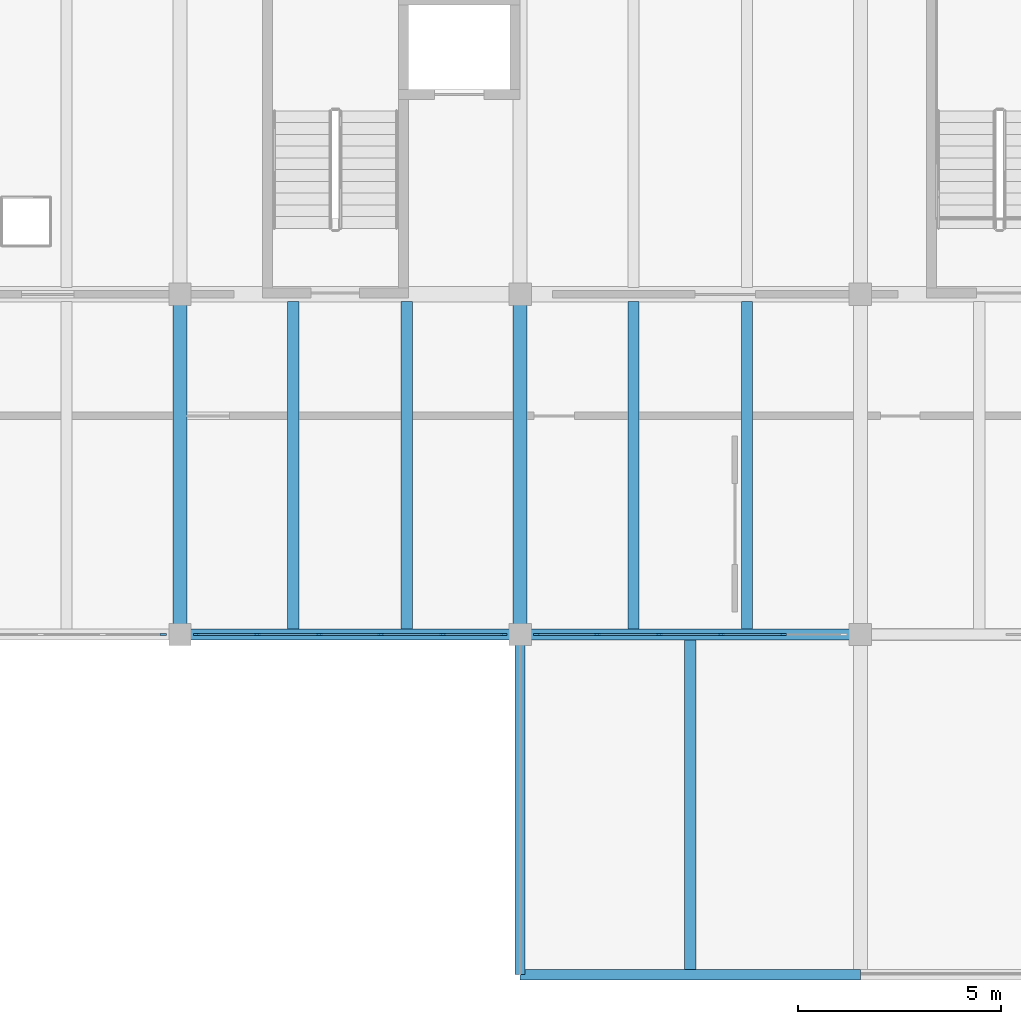
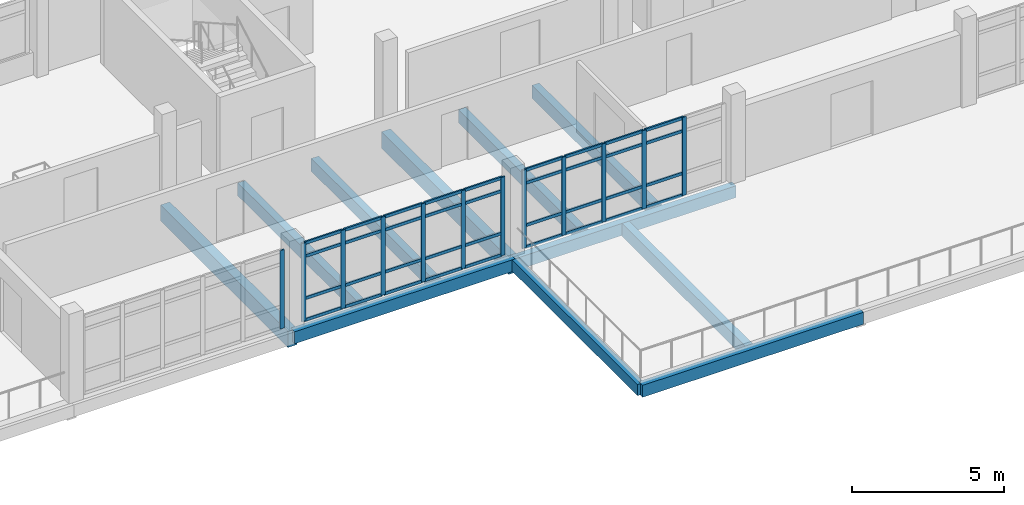
# One storey, part 4 of 30: 48 members, 11 beams, 3 elements without a shape of their own.
"""IFC4 building model written with IfcOpenShell, lengths in metres."""

from ifc_helpers import new_model, si_unit, direction, frame, origin, origin_2d, place, context, subcontext, project, spatial, rectangle, extrude, material, material_profile, profile_set, type_object, element, aggregate, save


model = new_model("IFC4")

# Units and contexts
model_context = context("Model", 3, precision=1e-05, world=origin(), true_north=direction((0.0, 1.0)))
body_context = subcontext(model_context, "Body", "Model", "MODEL_VIEW")
ifc_project = project(units=[si_unit("LENGTHUNIT", "METRE"), si_unit("AREAUNIT", "SQUARE_METRE"), si_unit("VOLUMEUNIT", "CUBIC_METRE"), si_unit("PLANEANGLEUNIT", "RADIAN"), si_unit("MASSUNIT", "GRAM", prefix="KILO")], contexts=[model_context])

# Site, building, storey
site_placement = place(None, origin())
site = spatial("IfcSite", under=ifc_project, at=site_placement, CompositionType="ELEMENT")
building_placement = place(site_placement, origin())
building = spatial("IfcBuilding", under=site, at=building_placement, Name="Cinderway Yard Community Centre", CompositionType="ELEMENT")
storey_placement = place(building_placement, frame((0.0, 0.0, 16.5)))
storey = spatial("IfcBuildingStorey", under=building, at=storey_placement, Name="L04", CompositionType="ELEMENT", Elevation=16.5)

# Curtain wall, member
ifc_material_1 = material(Name="Aluminium 6063-T6", Category="aluminium")
curtain_wall_type = type_object("IfcCurtainWallType", Name="ENV-CW-TYPE-32", PredefinedType="USERDEFINED", material=ifc_material_1)
curtain_wall_1_placement = place(storey_placement, origin())
curtain_wall_1 = element("IfcCurtainWall", 1, at=curtain_wall_1_placement, inside=storey, type_object=curtain_wall_type, Name="V4 Courtyard Curtain Wall ENV-CW-L04-ST-0177", ObjectType="GLAZED CURTAIN WALL", PredefinedType="USERDEFINED")
ifc_material_profile_1 = material_profile(ifc_material_1, rectangle(XDim=0.06005859375, YDim=0.159912109375, at=origin_2d()), Name="Aluminium 6063-T6")
ifc_profile_set_1 = profile_set([ifc_material_profile_1], Name="Aluminium 6063-T6")
member_type_1 = type_object("IfcMemberType", Name="ENV-CW-MULL-150", PredefinedType="MULLION", material=ifc_profile_set_1)
member_1_placement = place(storey_placement, frame((57.989990234375, 98.39990234375, 0.0), z_axis=(0.0, 0.0, 1.0), x_axis=(0.0, 1.0, 0.0)))
member_1 = element("IfcMember", 2, at=member_1_placement, type_object=member_type_1, Name="CW-32 mullion 6", PredefinedType="MULLION", context=body_context, shape_type="SweptSolid", body=[
    extrude(rectangle(XDim=0.06005859375, YDim=0.159912109375, at=origin_2d()), origin(), (0.0, 0.0, 1.0), 3.14990234375),
])
aggregate(curtain_wall_1, [member_1])

# Curtain wall, members
curtain_wall_2_placement = place(storey_placement, origin())
curtain_wall_2 = element("IfcCurtainWall", 3, at=curtain_wall_2_placement, inside=storey, type_object=curtain_wall_type, Name="V4 Courtyard Curtain Wall ENV-CW-L04-ST-0178", ObjectType="GLAZED CURTAIN WALL", PredefinedType="USERDEFINED")
member_2_placement = place(storey_placement, frame((58.81005859375, 98.39990234375, 0.0), z_axis=(0.0, 0.0, 1.0), x_axis=(0.0, 1.0, 0.0)))
member_2 = element("IfcMember", 4, at=member_2_placement, type_object=member_type_1, Name="CW-32 mullion 1", PredefinedType="MULLION", context=body_context, shape_type="SweptSolid", body=[
    extrude(rectangle(XDim=0.06005859375, YDim=0.159912109375, at=origin_2d()), origin(), (0.0, 0.0, 1.0), 3.14990234375),
])
member_3_placement = place(storey_placement, frame((60.30810546875, 98.39990234375, 0.0), z_axis=(0.0, 0.0, 1.0), x_axis=(0.0, 1.0, 0.0)))
member_3 = element("IfcMember", 5, at=member_3_placement, type_object=member_type_1, Name="CW-32 mullion 2", PredefinedType="MULLION", context=body_context, shape_type="SweptSolid", body=[
    extrude(rectangle(XDim=0.06005859375, YDim=0.159912109375, at=origin_2d()), origin(), (0.0, 0.0, 1.0), 3.14990234375),
])
member_4_placement = place(storey_placement, frame((61.8359375, 98.39990234375, 0.0), z_axis=(0.0, 0.0, 1.0), x_axis=(0.0, 1.0, 0.0)))
member_4 = element("IfcMember", 6, at=member_4_placement, type_object=member_type_1, Name="CW-32 mullion 3", PredefinedType="MULLION", context=body_context, shape_type="SweptSolid", body=[
    extrude(rectangle(XDim=0.06005859375, YDim=0.159912109375, at=origin_2d()), origin(), (0.0, 0.0, 1.0), 3.14990234375),
])
member_5_placement = place(storey_placement, frame((63.364013671875, 98.39990234375, 0.0), z_axis=(0.0, 0.0, 1.0), x_axis=(0.0, 1.0, 0.0)))
member_5 = element("IfcMember", 7, at=member_5_placement, type_object=member_type_1, Name="CW-32 mullion 4", PredefinedType="MULLION", context=body_context, shape_type="SweptSolid", body=[
    extrude(rectangle(XDim=0.06005859375, YDim=0.159912109375, at=origin_2d()), origin(), (0.0, 0.0, 1.0), 3.14990234375),
])
member_6_placement = place(storey_placement, frame((64.89208984375, 98.39990234375, 0.0), z_axis=(0.0, 0.0, 1.0), x_axis=(0.0, 1.0, 0.0)))
member_6 = element("IfcMember", 8, at=member_6_placement, type_object=member_type_1, Name="CW-32 mullion 5", PredefinedType="MULLION", context=body_context, shape_type="SweptSolid", body=[
    extrude(rectangle(XDim=0.06005859375, YDim=0.159912109375, at=origin_2d()), origin(), (0.0, 0.0, 1.0), 3.14990234375),
])
member_7_placement = place(storey_placement, frame((66.389892578125, 98.39990234375, 0.0), z_axis=(0.0, 0.0, 1.0), x_axis=(0.0, 1.0, 0.0)))
member_7 = element("IfcMember", 9, at=member_7_placement, type_object=member_type_1, Name="CW-32 mullion 6", PredefinedType="MULLION", context=body_context, shape_type="SweptSolid", body=[
    extrude(rectangle(XDim=0.06005859375, YDim=0.159912109375, at=origin_2d()), origin(), (0.0, 0.0, 1.0), 3.14990234375),
])

curtain_wall_3_placement = place(storey_placement, origin())
curtain_wall_3 = element("IfcCurtainWall", 10, at=curtain_wall_3_placement, inside=storey, type_object=curtain_wall_type, Name="V4 Courtyard Curtain Wall ENV-CW-L04-ST-0180", ObjectType="GLAZED CURTAIN WALL", PredefinedType="USERDEFINED")
member_8_placement = place(storey_placement, frame((67.2099609375, 98.39990234375, 0.0), z_axis=(0.0, 0.0, 1.0), x_axis=(0.0, 1.0, 0.0)))
member_8 = element("IfcMember", 11, at=member_8_placement, type_object=member_type_1, Name="CW-32 mullion 1", PredefinedType="MULLION", context=body_context, shape_type="SweptSolid", body=[
    extrude(rectangle(XDim=0.06005859375, YDim=0.159912109375, at=origin_2d()), origin(), (0.0, 0.0, 1.0), 3.14990234375),
])
member_9_placement = place(storey_placement, frame((68.7080078125, 98.39990234375, 0.0), z_axis=(0.0, 0.0, 1.0), x_axis=(0.0, 1.0, 0.0)))
member_9 = element("IfcMember", 12, at=member_9_placement, type_object=member_type_1, Name="CW-32 mullion 2", PredefinedType="MULLION", context=body_context, shape_type="SweptSolid", body=[
    extrude(rectangle(XDim=0.06005859375, YDim=0.159912109375, at=origin_2d()), origin(), (0.0, 0.0, 1.0), 3.14990234375),
])
member_10_placement = place(storey_placement, frame((70.236083984375, 98.39990234375, 0.0), z_axis=(0.0, 0.0, 1.0), x_axis=(0.0, 1.0, 0.0)))
member_10 = element("IfcMember", 13, at=member_10_placement, type_object=member_type_1, Name="CW-32 mullion 3", PredefinedType="MULLION", context=body_context, shape_type="SweptSolid", body=[
    extrude(rectangle(XDim=0.06005859375, YDim=0.159912109375, at=origin_2d()), origin(), (0.0, 0.0, 1.0), 3.14990234375),
])
member_11_placement = place(storey_placement, frame((71.763916015625, 98.39990234375, 0.0), z_axis=(0.0, 0.0, 1.0), x_axis=(0.0, 1.0, 0.0)))
member_11 = element("IfcMember", 14, at=member_11_placement, type_object=member_type_1, Name="CW-32 mullion 4", PredefinedType="MULLION", context=body_context, shape_type="SweptSolid", body=[
    extrude(rectangle(XDim=0.06005859375, YDim=0.159912109375, at=origin_2d()), origin(), (0.0, 0.0, 1.0), 3.14990234375),
])
member_12_placement = place(storey_placement, frame((73.2919921875, 98.39990234375, 0.0), z_axis=(0.0, 0.0, 1.0), x_axis=(0.0, 1.0, 0.0)))
member_12 = element("IfcMember", 15, at=member_12_placement, type_object=member_type_1, Name="CW-32 mullion 5", PredefinedType="MULLION", context=body_context, shape_type="SweptSolid", body=[
    extrude(rectangle(XDim=0.06005859375, YDim=0.159912109375, at=origin_2d()), origin(), (0.0, 0.0, 1.0), 3.14990234375),
])

# Member
ifc_material_profile_2 = material_profile(ifc_material_1, rectangle(XDim=0.06005859375, YDim=0.1201171875, at=origin_2d()), Name="Aluminium 6063-T6")
ifc_profile_set_2 = profile_set([ifc_material_profile_2], Name="Aluminium 6063-T6")
member_type_2 = type_object("IfcMemberType", Name="ENV-CW-TRAN-110", PredefinedType="USERDEFINED", material=ifc_profile_set_2)
member_13_placement = place(storey_placement, frame((58.840087890625, 98.39990234375, 0.030029296875), z_axis=(1.0, 0.0, 0.0), x_axis=(0.0, 1.0, 0.0)))
member_13 = element("IfcMember", 16, at=member_13_placement, type_object=member_type_2, Name="CW-32 transom 1.1", ObjectType="TRANSOM", PredefinedType="USERDEFINED", context=body_context, shape_type="SweptSolid", body=[
    extrude(rectangle(XDim=0.06005859375, YDim=0.1201171875, at=origin_2d()), origin(), (0.0, 0.0, 1.0), 1.43798828125),
])

member_14_placement = place(storey_placement, frame((58.840087890625, 98.39990234375, 0.89990234375), z_axis=(1.0, 0.0, 0.0), x_axis=(0.0, 1.0, 0.0)))
member_14 = element("IfcMember", 17, at=member_14_placement, type_object=member_type_2, Name="CW-32 transom 1.2", ObjectType="TRANSOM", PredefinedType="USERDEFINED", context=body_context, shape_type="SweptSolid", body=[
    extrude(rectangle(XDim=0.06005859375, YDim=0.1201171875, at=origin_2d()), origin(), (0.0, 0.0, 1.0), 1.43798828125),
])

member_15_placement = place(storey_placement, frame((58.840087890625, 98.39990234375, 2.60009765625), z_axis=(1.0, 0.0, 0.0), x_axis=(0.0, 1.0, 0.0)))
member_15 = element("IfcMember", 18, at=member_15_placement, type_object=member_type_2, Name="CW-32 transom 1.3", ObjectType="TRANSOM", PredefinedType="USERDEFINED", context=body_context, shape_type="SweptSolid", body=[
    extrude(rectangle(XDim=0.06005859375, YDim=0.1201171875, at=origin_2d()), origin(), (0.0, 0.0, 1.0), 1.43798828125),
])

member_16_placement = place(storey_placement, frame((58.840087890625, 98.39990234375, 3.1201171875), z_axis=(1.0, 0.0, 0.0), x_axis=(0.0, 1.0, 0.0)))
member_16 = element("IfcMember", 19, at=member_16_placement, type_object=member_type_2, Name="CW-32 transom 1.4", ObjectType="TRANSOM", PredefinedType="USERDEFINED", context=body_context, shape_type="SweptSolid", body=[
    extrude(rectangle(XDim=0.06005859375, YDim=0.1201171875, at=origin_2d()), origin(), (0.0, 0.0, 1.0), 1.43798828125),
])

member_17_placement = place(storey_placement, frame((60.337890625, 98.39990234375, 0.030029296875), z_axis=(1.0, 0.0, 0.0), x_axis=(0.0, 1.0, 0.0)))
member_17 = element("IfcMember", 20, at=member_17_placement, type_object=member_type_2, Name="CW-32 transom 2.1", ObjectType="TRANSOM", PredefinedType="USERDEFINED", context=body_context, shape_type="SweptSolid", body=[
    extrude(rectangle(XDim=0.06005859375, YDim=0.1201171875, at=origin_2d()), origin(), (0.0, 0.0, 1.0), 1.468017578125),
])

member_18_placement = place(storey_placement, frame((60.337890625, 98.39990234375, 0.89990234375), z_axis=(1.0, 0.0, 0.0), x_axis=(0.0, 1.0, 0.0)))
member_18 = element("IfcMember", 21, at=member_18_placement, type_object=member_type_2, Name="CW-32 transom 2.2", ObjectType="TRANSOM", PredefinedType="USERDEFINED", context=body_context, shape_type="SweptSolid", body=[
    extrude(rectangle(XDim=0.06005859375, YDim=0.1201171875, at=origin_2d()), origin(), (0.0, 0.0, 1.0), 1.468017578125),
])

member_19_placement = place(storey_placement, frame((60.337890625, 98.39990234375, 2.60009765625), z_axis=(1.0, 0.0, 0.0), x_axis=(0.0, 1.0, 0.0)))
member_19 = element("IfcMember", 22, at=member_19_placement, type_object=member_type_2, Name="CW-32 transom 2.3", ObjectType="TRANSOM", PredefinedType="USERDEFINED", context=body_context, shape_type="SweptSolid", body=[
    extrude(rectangle(XDim=0.06005859375, YDim=0.1201171875, at=origin_2d()), origin(), (0.0, 0.0, 1.0), 1.468017578125),
])

member_20_placement = place(storey_placement, frame((60.337890625, 98.39990234375, 3.1201171875), z_axis=(1.0, 0.0, 0.0), x_axis=(0.0, 1.0, 0.0)))
member_20 = element("IfcMember", 23, at=member_20_placement, type_object=member_type_2, Name="CW-32 transom 2.4", ObjectType="TRANSOM", PredefinedType="USERDEFINED", context=body_context, shape_type="SweptSolid", body=[
    extrude(rectangle(XDim=0.06005859375, YDim=0.1201171875, at=origin_2d()), origin(), (0.0, 0.0, 1.0), 1.468017578125),
])

member_21_placement = place(storey_placement, frame((61.865966796875, 98.39990234375, 0.030029296875), z_axis=(1.0, 0.0, 0.0), x_axis=(0.0, 1.0, 0.0)))
member_21 = element("IfcMember", 24, at=member_21_placement, type_object=member_type_2, Name="CW-32 transom 3.1", ObjectType="TRANSOM", PredefinedType="USERDEFINED", context=body_context, shape_type="SweptSolid", body=[
    extrude(rectangle(XDim=0.06005859375, YDim=0.1201171875, at=origin_2d()), origin(), (0.0, 0.0, 1.0), 1.468017578125),
])

member_22_placement = place(storey_placement, frame((61.865966796875, 98.39990234375, 0.89990234375), z_axis=(1.0, 0.0, 0.0), x_axis=(0.0, 1.0, 0.0)))
member_22 = element("IfcMember", 25, at=member_22_placement, type_object=member_type_2, Name="CW-32 transom 3.2", ObjectType="TRANSOM", PredefinedType="USERDEFINED", context=body_context, shape_type="SweptSolid", body=[
    extrude(rectangle(XDim=0.06005859375, YDim=0.1201171875, at=origin_2d()), origin(), (0.0, 0.0, 1.0), 1.468017578125),
])

member_23_placement = place(storey_placement, frame((61.865966796875, 98.39990234375, 2.60009765625), z_axis=(1.0, 0.0, 0.0), x_axis=(0.0, 1.0, 0.0)))
member_23 = element("IfcMember", 26, at=member_23_placement, type_object=member_type_2, Name="CW-32 transom 3.3", ObjectType="TRANSOM", PredefinedType="USERDEFINED", context=body_context, shape_type="SweptSolid", body=[
    extrude(rectangle(XDim=0.06005859375, YDim=0.1201171875, at=origin_2d()), origin(), (0.0, 0.0, 1.0), 1.468017578125),
])

member_24_placement = place(storey_placement, frame((61.865966796875, 98.39990234375, 3.1201171875), z_axis=(1.0, 0.0, 0.0), x_axis=(0.0, 1.0, 0.0)))
member_24 = element("IfcMember", 27, at=member_24_placement, type_object=member_type_2, Name="CW-32 transom 3.4", ObjectType="TRANSOM", PredefinedType="USERDEFINED", context=body_context, shape_type="SweptSolid", body=[
    extrude(rectangle(XDim=0.06005859375, YDim=0.1201171875, at=origin_2d()), origin(), (0.0, 0.0, 1.0), 1.468017578125),
])

member_25_placement = place(storey_placement, frame((63.39404296875, 98.39990234375, 0.030029296875), z_axis=(1.0, 0.0, 0.0), x_axis=(0.0, 1.0, 0.0)))
member_25 = element("IfcMember", 28, at=member_25_placement, type_object=member_type_2, Name="CW-32 transom 4.1", ObjectType="TRANSOM", PredefinedType="USERDEFINED", context=body_context, shape_type="SweptSolid", body=[
    extrude(rectangle(XDim=0.06005859375, YDim=0.1201171875, at=origin_2d()), origin(), (0.0, 0.0, 1.0), 1.468017578125),
])

member_26_placement = place(storey_placement, frame((63.39404296875, 98.39990234375, 0.89990234375), z_axis=(1.0, 0.0, 0.0), x_axis=(0.0, 1.0, 0.0)))
member_26 = element("IfcMember", 29, at=member_26_placement, type_object=member_type_2, Name="CW-32 transom 4.2", ObjectType="TRANSOM", PredefinedType="USERDEFINED", context=body_context, shape_type="SweptSolid", body=[
    extrude(rectangle(XDim=0.06005859375, YDim=0.1201171875, at=origin_2d()), origin(), (0.0, 0.0, 1.0), 1.468017578125),
])

member_27_placement = place(storey_placement, frame((63.39404296875, 98.39990234375, 2.60009765625), z_axis=(1.0, 0.0, 0.0), x_axis=(0.0, 1.0, 0.0)))
member_27 = element("IfcMember", 30, at=member_27_placement, type_object=member_type_2, Name="CW-32 transom 4.3", ObjectType="TRANSOM", PredefinedType="USERDEFINED", context=body_context, shape_type="SweptSolid", body=[
    extrude(rectangle(XDim=0.06005859375, YDim=0.1201171875, at=origin_2d()), origin(), (0.0, 0.0, 1.0), 1.468017578125),
])

member_28_placement = place(storey_placement, frame((63.39404296875, 98.39990234375, 3.1201171875), z_axis=(1.0, 0.0, 0.0), x_axis=(0.0, 1.0, 0.0)))
member_28 = element("IfcMember", 31, at=member_28_placement, type_object=member_type_2, Name="CW-32 transom 4.4", ObjectType="TRANSOM", PredefinedType="USERDEFINED", context=body_context, shape_type="SweptSolid", body=[
    extrude(rectangle(XDim=0.06005859375, YDim=0.1201171875, at=origin_2d()), origin(), (0.0, 0.0, 1.0), 1.468017578125),
])

member_29_placement = place(storey_placement, frame((64.922119140625, 98.39990234375, 0.030029296875), z_axis=(1.0, 0.0, 0.0), x_axis=(0.0, 1.0, 0.0)))
member_29 = element("IfcMember", 32, at=member_29_placement, type_object=member_type_2, Name="CW-32 transom 5.1", ObjectType="TRANSOM", PredefinedType="USERDEFINED", context=body_context, shape_type="SweptSolid", body=[
    extrude(rectangle(XDim=0.06005859375, YDim=0.1201171875, at=origin_2d()), origin(), (0.0, 0.0, 1.0), 1.43798828125),
])

member_30_placement = place(storey_placement, frame((64.922119140625, 98.39990234375, 0.89990234375), z_axis=(1.0, 0.0, 0.0), x_axis=(0.0, 1.0, 0.0)))
member_30 = element("IfcMember", 33, at=member_30_placement, type_object=member_type_2, Name="CW-32 transom 5.2", ObjectType="TRANSOM", PredefinedType="USERDEFINED", context=body_context, shape_type="SweptSolid", body=[
    extrude(rectangle(XDim=0.06005859375, YDim=0.1201171875, at=origin_2d()), origin(), (0.0, 0.0, 1.0), 1.43798828125),
])

member_31_placement = place(storey_placement, frame((64.922119140625, 98.39990234375, 2.60009765625), z_axis=(1.0, 0.0, 0.0), x_axis=(0.0, 1.0, 0.0)))
member_31 = element("IfcMember", 34, at=member_31_placement, type_object=member_type_2, Name="CW-32 transom 5.3", ObjectType="TRANSOM", PredefinedType="USERDEFINED", context=body_context, shape_type="SweptSolid", body=[
    extrude(rectangle(XDim=0.06005859375, YDim=0.1201171875, at=origin_2d()), origin(), (0.0, 0.0, 1.0), 1.43798828125),
])

member_32_placement = place(storey_placement, frame((64.922119140625, 98.39990234375, 3.1201171875), z_axis=(1.0, 0.0, 0.0), x_axis=(0.0, 1.0, 0.0)))
member_32 = element("IfcMember", 35, at=member_32_placement, type_object=member_type_2, Name="CW-32 transom 5.4", ObjectType="TRANSOM", PredefinedType="USERDEFINED", context=body_context, shape_type="SweptSolid", body=[
    extrude(rectangle(XDim=0.06005859375, YDim=0.1201171875, at=origin_2d()), origin(), (0.0, 0.0, 1.0), 1.43798828125),
])

aggregate(curtain_wall_2, [member_2, member_3, member_4, member_5, member_6, member_7, member_13, member_14, member_15, member_16, member_17, member_18, member_19, member_20, member_21, member_22, member_23, member_24, member_25, member_26, member_27, member_28, member_29, member_30, member_31, member_32])

member_33_placement = place(storey_placement, frame((67.239990234375, 98.39990234375, 0.030029296875), z_axis=(1.0, 0.0, 0.0), x_axis=(0.0, 1.0, 0.0)))
member_33 = element("IfcMember", 36, at=member_33_placement, type_object=member_type_2, Name="CW-32 transom 1.1", ObjectType="TRANSOM", PredefinedType="USERDEFINED", context=body_context, shape_type="SweptSolid", body=[
    extrude(rectangle(XDim=0.06005859375, YDim=0.1201171875, at=origin_2d()), origin(), (0.0, 0.0, 1.0), 1.43798828125),
])

member_34_placement = place(storey_placement, frame((67.239990234375, 98.39990234375, 0.89990234375), z_axis=(1.0, 0.0, 0.0), x_axis=(0.0, 1.0, 0.0)))
member_34 = element("IfcMember", 37, at=member_34_placement, type_object=member_type_2, Name="CW-32 transom 1.2", ObjectType="TRANSOM", PredefinedType="USERDEFINED", context=body_context, shape_type="SweptSolid", body=[
    extrude(rectangle(XDim=0.06005859375, YDim=0.1201171875, at=origin_2d()), origin(), (0.0, 0.0, 1.0), 1.43798828125),
])

member_35_placement = place(storey_placement, frame((67.239990234375, 98.39990234375, 2.60009765625), z_axis=(1.0, 0.0, 0.0), x_axis=(0.0, 1.0, 0.0)))
member_35 = element("IfcMember", 38, at=member_35_placement, type_object=member_type_2, Name="CW-32 transom 1.3", ObjectType="TRANSOM", PredefinedType="USERDEFINED", context=body_context, shape_type="SweptSolid", body=[
    extrude(rectangle(XDim=0.06005859375, YDim=0.1201171875, at=origin_2d()), origin(), (0.0, 0.0, 1.0), 1.43798828125),
])

member_36_placement = place(storey_placement, frame((67.239990234375, 98.39990234375, 3.1201171875), z_axis=(1.0, 0.0, 0.0), x_axis=(0.0, 1.0, 0.0)))
member_36 = element("IfcMember", 39, at=member_36_placement, type_object=member_type_2, Name="CW-32 transom 1.4", ObjectType="TRANSOM", PredefinedType="USERDEFINED", context=body_context, shape_type="SweptSolid", body=[
    extrude(rectangle(XDim=0.06005859375, YDim=0.1201171875, at=origin_2d()), origin(), (0.0, 0.0, 1.0), 1.43798828125),
])

member_37_placement = place(storey_placement, frame((68.738037109375, 98.39990234375, 0.030029296875), z_axis=(1.0, 0.0, 0.0), x_axis=(0.0, 1.0, 0.0)))
member_37 = element("IfcMember", 40, at=member_37_placement, type_object=member_type_2, Name="CW-32 transom 2.1", ObjectType="TRANSOM", PredefinedType="USERDEFINED", context=body_context, shape_type="SweptSolid", body=[
    extrude(rectangle(XDim=0.06005859375, YDim=0.1201171875, at=origin_2d()), origin(), (0.0, 0.0, 1.0), 1.468017578125),
])

member_38_placement = place(storey_placement, frame((68.738037109375, 98.39990234375, 0.89990234375), z_axis=(1.0, 0.0, 0.0), x_axis=(0.0, 1.0, 0.0)))
member_38 = element("IfcMember", 41, at=member_38_placement, type_object=member_type_2, Name="CW-32 transom 2.2", ObjectType="TRANSOM", PredefinedType="USERDEFINED", context=body_context, shape_type="SweptSolid", body=[
    extrude(rectangle(XDim=0.06005859375, YDim=0.1201171875, at=origin_2d()), origin(), (0.0, 0.0, 1.0), 1.468017578125),
])

member_39_placement = place(storey_placement, frame((68.738037109375, 98.39990234375, 2.60009765625), z_axis=(1.0, 0.0, 0.0), x_axis=(0.0, 1.0, 0.0)))
member_39 = element("IfcMember", 42, at=member_39_placement, type_object=member_type_2, Name="CW-32 transom 2.3", ObjectType="TRANSOM", PredefinedType="USERDEFINED", context=body_context, shape_type="SweptSolid", body=[
    extrude(rectangle(XDim=0.06005859375, YDim=0.1201171875, at=origin_2d()), origin(), (0.0, 0.0, 1.0), 1.468017578125),
])

member_40_placement = place(storey_placement, frame((68.738037109375, 98.39990234375, 3.1201171875), z_axis=(1.0, 0.0, 0.0), x_axis=(0.0, 1.0, 0.0)))
member_40 = element("IfcMember", 43, at=member_40_placement, type_object=member_type_2, Name="CW-32 transom 2.4", ObjectType="TRANSOM", PredefinedType="USERDEFINED", context=body_context, shape_type="SweptSolid", body=[
    extrude(rectangle(XDim=0.06005859375, YDim=0.1201171875, at=origin_2d()), origin(), (0.0, 0.0, 1.0), 1.468017578125),
])

member_41_placement = place(storey_placement, frame((70.26611328125, 98.39990234375, 0.030029296875), z_axis=(1.0, 0.0, 0.0), x_axis=(0.0, 1.0, 0.0)))
member_41 = element("IfcMember", 44, at=member_41_placement, type_object=member_type_2, Name="CW-32 transom 3.1", ObjectType="TRANSOM", PredefinedType="USERDEFINED", context=body_context, shape_type="SweptSolid", body=[
    extrude(rectangle(XDim=0.06005859375, YDim=0.1201171875, at=origin_2d()), origin(), (0.0, 0.0, 1.0), 1.4677734375),
])

member_42_placement = place(storey_placement, frame((70.26611328125, 98.39990234375, 0.89990234375), z_axis=(1.0, 0.0, 0.0), x_axis=(0.0, 1.0, 0.0)))
member_42 = element("IfcMember", 45, at=member_42_placement, type_object=member_type_2, Name="CW-32 transom 3.2", ObjectType="TRANSOM", PredefinedType="USERDEFINED", context=body_context, shape_type="SweptSolid", body=[
    extrude(rectangle(XDim=0.06005859375, YDim=0.1201171875, at=origin_2d()), origin(), (0.0, 0.0, 1.0), 1.4677734375),
])

member_43_placement = place(storey_placement, frame((70.26611328125, 98.39990234375, 2.60009765625), z_axis=(1.0, 0.0, 0.0), x_axis=(0.0, 1.0, 0.0)))
member_43 = element("IfcMember", 46, at=member_43_placement, type_object=member_type_2, Name="CW-32 transom 3.3", ObjectType="TRANSOM", PredefinedType="USERDEFINED", context=body_context, shape_type="SweptSolid", body=[
    extrude(rectangle(XDim=0.06005859375, YDim=0.1201171875, at=origin_2d()), origin(), (0.0, 0.0, 1.0), 1.4677734375),
])

member_44_placement = place(storey_placement, frame((70.26611328125, 98.39990234375, 3.1201171875), z_axis=(1.0, 0.0, 0.0), x_axis=(0.0, 1.0, 0.0)))
member_44 = element("IfcMember", 47, at=member_44_placement, type_object=member_type_2, Name="CW-32 transom 3.4", ObjectType="TRANSOM", PredefinedType="USERDEFINED", context=body_context, shape_type="SweptSolid", body=[
    extrude(rectangle(XDim=0.06005859375, YDim=0.1201171875, at=origin_2d()), origin(), (0.0, 0.0, 1.0), 1.4677734375),
])

member_45_placement = place(storey_placement, frame((71.7939453125, 98.39990234375, 0.030029296875), z_axis=(1.0, 0.0, 0.0), x_axis=(0.0, 1.0, 0.0)))
member_45 = element("IfcMember", 48, at=member_45_placement, type_object=member_type_2, Name="CW-32 transom 4.1", ObjectType="TRANSOM", PredefinedType="USERDEFINED", context=body_context, shape_type="SweptSolid", body=[
    extrude(rectangle(XDim=0.06005859375, YDim=0.1201171875, at=origin_2d()), origin(), (0.0, 0.0, 1.0), 1.468017578125),
])

member_46_placement = place(storey_placement, frame((71.7939453125, 98.39990234375, 0.89990234375), z_axis=(1.0, 0.0, 0.0), x_axis=(0.0, 1.0, 0.0)))
member_46 = element("IfcMember", 49, at=member_46_placement, type_object=member_type_2, Name="CW-32 transom 4.2", ObjectType="TRANSOM", PredefinedType="USERDEFINED", context=body_context, shape_type="SweptSolid", body=[
    extrude(rectangle(XDim=0.06005859375, YDim=0.1201171875, at=origin_2d()), origin(), (0.0, 0.0, 1.0), 1.468017578125),
])

member_47_placement = place(storey_placement, frame((71.7939453125, 98.39990234375, 2.60009765625), z_axis=(1.0, 0.0, 0.0), x_axis=(0.0, 1.0, 0.0)))
member_47 = element("IfcMember", 50, at=member_47_placement, type_object=member_type_2, Name="CW-32 transom 4.3", ObjectType="TRANSOM", PredefinedType="USERDEFINED", context=body_context, shape_type="SweptSolid", body=[
    extrude(rectangle(XDim=0.06005859375, YDim=0.1201171875, at=origin_2d()), origin(), (0.0, 0.0, 1.0), 1.468017578125),
])

member_48_placement = place(storey_placement, frame((71.7939453125, 98.39990234375, 3.1201171875), z_axis=(1.0, 0.0, 0.0), x_axis=(0.0, 1.0, 0.0)))
member_48 = element("IfcMember", 51, at=member_48_placement, type_object=member_type_2, Name="CW-32 transom 4.4", ObjectType="TRANSOM", PredefinedType="USERDEFINED", context=body_context, shape_type="SweptSolid", body=[
    extrude(rectangle(XDim=0.06005859375, YDim=0.1201171875, at=origin_2d()), origin(), (0.0, 0.0, 1.0), 1.468017578125),
])

aggregate(curtain_wall_3, [member_8, member_9, member_10, member_11, member_12, member_33, member_34, member_35, member_36, member_37, member_38, member_39, member_40, member_41, member_42, member_43, member_44, member_45, member_46, member_47, member_48])

# Beams
ifc_material_2 = material(Name="Concrete C40/50", Category="concrete")
ifc_material_profile_3 = material_profile(ifc_material_2, rectangle(XDim=0.25, YDim=0.449951171875, at=origin_2d()), Name="Concrete C40/50")
ifc_profile_set_3 = profile_set([ifc_material_profile_3], Name="Concrete C40/50")
beam_type_1 = type_object("IfcBeamType", Name="STR-BM-RC250X450", PredefinedType="SPANDREL", material=ifc_profile_set_3)
beam_1_placement = place(storey_placement, frame((66.800048828125, 90.0, -0.445068359375), z_axis=(0.0, 1.0, 0.0), x_axis=(-1.0, 0.0, 0.0)))
element("IfcBeam", 52, at=beam_1_placement, inside=storey, type_object=beam_type_1, Name="Transverse girder STR-BM-L04-SP02-0911", PredefinedType="SPANDREL", context=body_context, shape_type="SweptSolid", body=[
    extrude(rectangle(XDim=0.25, YDim=0.449951171875, at=origin_2d()), origin(), (0.0, 0.0, 1.0), 8.39990234375),
])
ifc_material_profile_4 = material_profile(ifc_material_2, rectangle(XDim=0.260009765625, YDim=0.47998046875, at=origin_2d()), Name="Concrete C40/50")
ifc_profile_set_4 = profile_set([ifc_material_profile_4], Name="Concrete C40/50")
beam_type_2 = type_object("IfcBeamType", Name="STR-BM-RC260X480", PredefinedType="SPANDREL", material=ifc_profile_set_4)
beam_2_placement = place(storey_placement, frame((58.39990234375, 98.39990234375, -0.4599609375), z_axis=(1.0, 0.0, 0.0), x_axis=(0.0, 1.0, 0.0)))
element("IfcBeam", 53, at=beam_2_placement, inside=storey, type_object=beam_type_2, Name="Primary girder STR-BM-L04-SP01-0812", PredefinedType="SPANDREL", context=body_context, shape_type="SweptSolid", body=[
    extrude(rectangle(XDim=0.260009765625, YDim=0.47998046875, at=origin_2d()), origin(), (0.0, 0.0, 1.0), 8.400146484375),
])
for number, where, z_axis, x_axis, name in (
    (54, (66.800048828125, 98.39990234375, -0.4599609375), (1.0, 0.0, 0.0), (0.0, 1.0, 0.0), "Primary girder STR-BM-L04-SP01-0813"),
    (55, (66.800048828125, 90.0, -0.4599609375), (1.0, 0.0, 0.0), (0.0, 1.0, 0.0), "Primary girder STR-BM-L04-SP01-0906"),
):
    element("IfcBeam", number, at=place(storey_placement, frame(where, z_axis=z_axis, x_axis=x_axis)), inside=storey, type_object=beam_type_2, Name=name, PredefinedType="SPANDREL", context=body_context, shape_type="SweptSolid", body=[
        extrude(rectangle(XDim=0.260009765625, YDim=0.47998046875, at=origin_2d()), origin(), (0.0, 0.0, 1.0), 8.39990234375),
    ])
ifc_material_3 = material(Name="Concrete C35/45", Category="concrete")
ifc_material_profile_5 = material_profile(ifc_material_3, rectangle(XDim=0.280029296875, YDim=0.52001953125, at=origin_2d()), Name="Concrete C35/45")
ifc_profile_set_5 = profile_set([ifc_material_profile_5], Name="Concrete C35/45")
beam_type_3 = type_object("IfcBeamType", Name="STR-BM-RC280X520", PredefinedType="JOIST", material=ifc_profile_set_5)
for number, where, z_axis, x_axis, name in (
    (56, (61.199951171875, 98.511962890625, -0.47998046875), (0.0, 1.0, 0.0), (-1.0, 0.0, 0.0), "Secondary joist STR-BM-L04-BJ04-0875"),
    (57, (64.0, 98.511962890625, -0.47998046875), (0.0, 1.0, 0.0), (-1.0, 0.0, 0.0), "Secondary joist STR-BM-L04-BJ04-0876"),
    (58, (69.60009765625, 98.511962890625, -0.47998046875), (0.0, 1.0, 0.0), (-1.0, 0.0, 0.0), "Secondary joist STR-BM-L04-BJ04-0877"),
    (59, (72.39990234375, 98.511962890625, -0.47998046875), (0.0, 1.0, 0.0), (-1.0, 0.0, 0.0), "Secondary joist STR-BM-L04-BJ04-0878"),
):
    element("IfcBeam", number, at=place(storey_placement, frame(where, z_axis=z_axis, x_axis=x_axis)), inside=storey, type_object=beam_type_3, Name=name, PredefinedType="JOIST", context=body_context, shape_type="SweptSolid", body=[
        extrude(rectangle(XDim=0.280029296875, YDim=0.52001953125, at=origin_2d()), origin(), (0.0, 0.0, 1.0), 8.115966796875),
    ])
beam_3_placement = place(storey_placement, frame((71.0, 90.112060546875, -0.47998046875), z_axis=(0.0, 1.0, 0.0), x_axis=(-1.0, 0.0, 0.0)))
element("IfcBeam", 60, at=beam_3_placement, inside=storey, type_object=beam_type_3, Name="Secondary joist STR-BM-L04-BJ04-0917", PredefinedType="JOIST", context=body_context, shape_type="SweptSolid", body=[
    extrude(rectangle(XDim=0.280029296875, YDim=0.52001953125, at=origin_2d()), origin(), (0.0, 0.0, 1.0), 8.176025390625),
])
ifc_material_profile_6 = material_profile(ifc_material_3, rectangle(XDim=0.35009765625, YDim=0.64990234375, at=origin_2d()), Name="Concrete C35/45")
ifc_profile_set_6 = profile_set([ifc_material_profile_6], Name="Concrete C35/45")
beam_type_4 = type_object("IfcBeamType", Name="STR-BM-RC350X650", PredefinedType="BEAM", material=ifc_profile_set_6)
for number, where, z_axis, x_axis, name in (
    (61, (58.39990234375, 98.39990234375, -0.544921875), (0.0, 1.0, 0.0), (-1.0, 0.0, 0.0), "Transverse girder STR-BM-L04-BG08-0847"),
    (62, (66.800048828125, 98.39990234375, -0.544921875), (0.0, 1.0, 0.0), (-1.0, 0.0, 0.0), "Transverse girder STR-BM-L04-BG08-0849"),
):
    element("IfcBeam", number, at=place(storey_placement, frame(where, z_axis=z_axis, x_axis=x_axis)), inside=storey, type_object=beam_type_4, Name=name, PredefinedType="BEAM", context=body_context, shape_type="SweptSolid", body=[
        extrude(rectangle(XDim=0.35009765625, YDim=0.64990234375, at=origin_2d()), origin(), (0.0, 0.0, 1.0), 8.400146484375),
    ])

save(model, "model.ifc")
